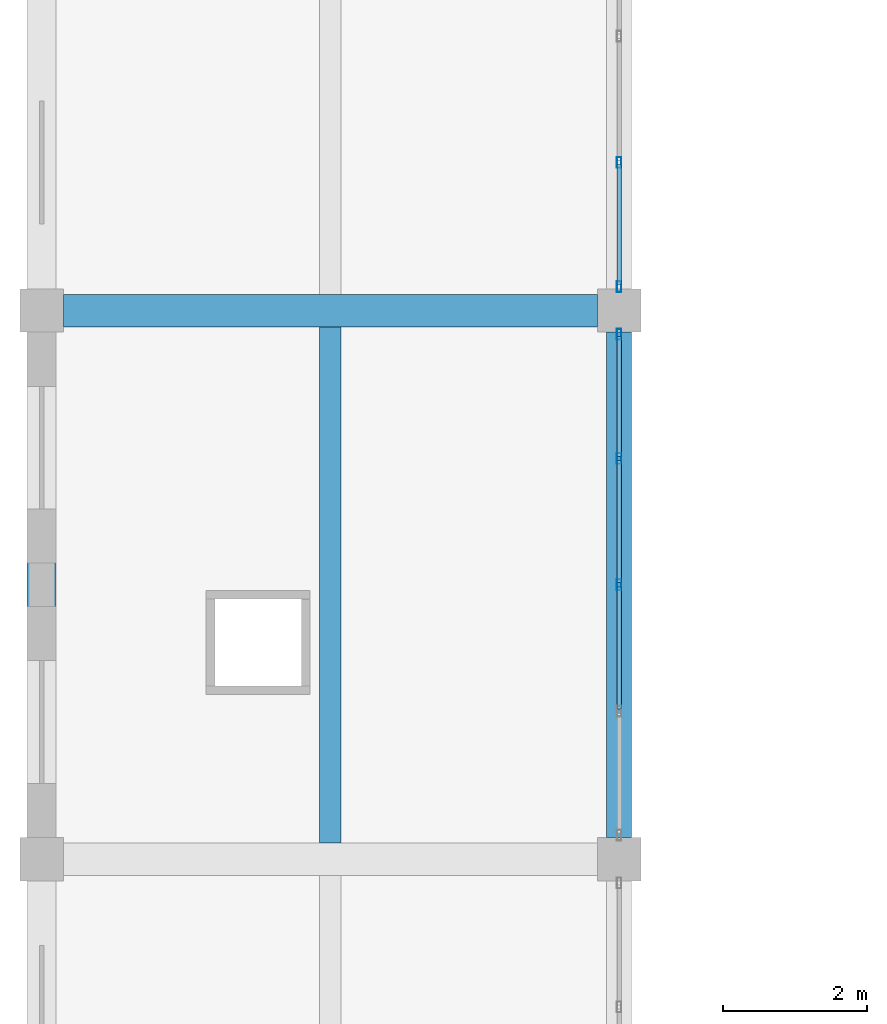
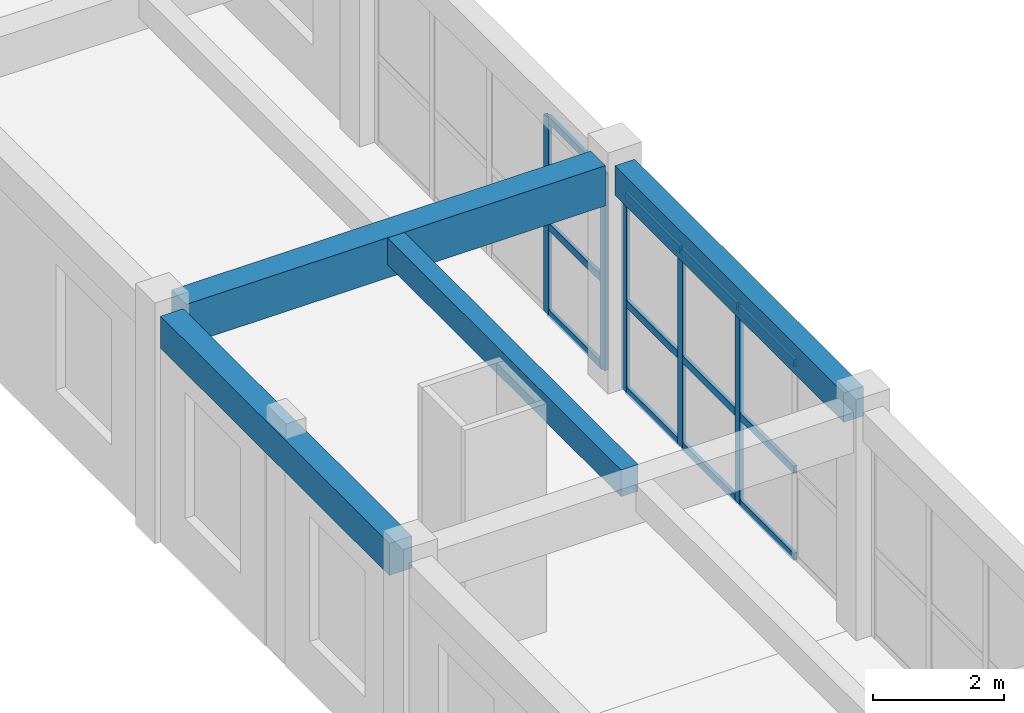
# One storey, part 12 of 79: 17 members, 4 beams, 2 elements without a shape of their own.
"""IFC4 building model written with IfcOpenShell, lengths in metres."""

from ifc_helpers import new_model, si_unit, direction, frame, origin, origin_2d, place, context, subcontext, project, spatial, rectangle, hollow_rectangle, extrude, material, material_profile, profile_set, type_object, element, aggregate, save


model = new_model("IFC4")

# Units and contexts
model_context = context("Model", 3, precision=1e-05, world=origin(), true_north=direction((0.0, 1.0)))
body_context = subcontext(model_context, "Body", "Model", "MODEL_VIEW")
ifc_project = project(units=[si_unit("LENGTHUNIT", "METRE"), si_unit("AREAUNIT", "SQUARE_METRE"), si_unit("VOLUMEUNIT", "CUBIC_METRE"), si_unit("PLANEANGLEUNIT", "RADIAN"), si_unit("MASSUNIT", "GRAM", prefix="KILO")], contexts=[model_context])

# Site, building, storey
site_placement = place(None, origin())
site = spatial("IfcSite", under=ifc_project, at=site_placement, CompositionType="ELEMENT")
building_placement = place(site_placement, origin())
building = spatial("IfcBuilding", under=site, at=building_placement, Name="Zantavel Square City Hall", CompositionType="ELEMENT")
storey_placement = place(building_placement, frame((0.0, 0.0, 10.199951171875)))
storey = spatial("IfcBuildingStorey", under=building, at=storey_placement, Name="L03", CompositionType="ELEMENT", Elevation=10.199951171875)

# Curtain wall, members
ifc_material_1 = material(Name="Anodised aluminium 6063-T6", Category="aluminium")
curtain_wall_type = type_object("IfcCurtainWallType", Name="Curtain Wall CRT 7000x3670", PredefinedType="USERDEFINED", material=ifc_material_1)
curtain_wall_1_placement = place(storey_placement, origin())
curtain_wall_1 = element("IfcCurtainWall", 1, at=curtain_wall_1_placement, inside=storey, type_object=curtain_wall_type, Name="L03 Glazed Curtain Wall CW-L03-105", ObjectType="GLAZED CURTAIN WALL", PredefinedType="USERDEFINED")
ifc_material_profile_1 = material_profile(ifc_material_1, hollow_rectangle(XDim=0.06494140625, YDim=0.14990234375, WallThickness=0.00390625, at=origin_2d()), Name="ALU 65x150x4")
ifc_profile_set_1 = profile_set([ifc_material_profile_1], Name="Anodised aluminium 6063-T6")
member_type_1 = type_object("IfcMemberType", Name="CW Mullion ALU 65x150x4", PredefinedType="MULLION", material=ifc_profile_set_1)
member_1_placement = place(storey_placement, frame((16.0, 62.85009765625, 0.0), z_axis=(0.0, 0.0, 1.0), x_axis=(1.0, 0.0, 0.0)))
member_1 = element("IfcMember", 2, at=member_1_placement, type_object=member_type_1, Name="CW-105 mullion 4", PredefinedType="MULLION", context=body_context, shape_type="SweptSolid", body=[
    extrude(hollow_rectangle(XDim=0.06494140625, YDim=0.14990234375, WallThickness=0.00390625, at=origin_2d()), origin(), (0.0, 0.0, 1.0), 3.670166015625),
])
member_2_placement = place(storey_placement, frame((16.0, 61.1298828125, 0.0), z_axis=(0.0, 0.0, 1.0), x_axis=(1.0, 0.0, 0.0)))
member_2 = element("IfcMember", 3, at=member_2_placement, type_object=member_type_1, Name="CW-105 mullion 5", PredefinedType="MULLION", context=body_context, shape_type="SweptSolid", body=[
    extrude(hollow_rectangle(XDim=0.06494140625, YDim=0.14990234375, WallThickness=0.00390625, at=origin_2d()), origin(), (0.0, 0.0, 1.0), 3.670166015625),
])

curtain_wall_2_placement = place(storey_placement, origin())
curtain_wall_2 = element("IfcCurtainWall", 4, at=curtain_wall_2_placement, inside=storey, type_object=curtain_wall_type, Name="L03 Glazed Curtain Wall CW-L03-106", ObjectType="GLAZED CURTAIN WALL", PredefinedType="USERDEFINED")
member_3_placement = place(storey_placement, frame((16.0, 60.469970703125, 0.0), z_axis=(0.0, 0.0, 1.0), x_axis=(1.0, 0.0, 0.0)))
member_3 = element("IfcMember", 5, at=member_3_placement, type_object=member_type_1, Name="CW-106 mullion 1", PredefinedType="MULLION", context=body_context, shape_type="SweptSolid", body=[
    extrude(hollow_rectangle(XDim=0.06494140625, YDim=0.14990234375, WallThickness=0.00390625, at=origin_2d()), origin(), (0.0, 0.0, 1.0), 3.670166015625),
])
member_4_placement = place(storey_placement, frame((16.0, 58.75, 0.0), z_axis=(0.0, 0.0, 1.0), x_axis=(1.0, 0.0, 0.0)))
member_4 = element("IfcMember", 6, at=member_4_placement, type_object=member_type_1, Name="CW-106 mullion 2", PredefinedType="MULLION", context=body_context, shape_type="SweptSolid", body=[
    extrude(hollow_rectangle(XDim=0.06494140625, YDim=0.14990234375, WallThickness=0.00390625, at=origin_2d()), origin(), (0.0, 0.0, 1.0), 3.670166015625),
])
member_5_placement = place(storey_placement, frame((16.0, 57.0, 0.0), z_axis=(0.0, 0.0, 1.0), x_axis=(1.0, 0.0, 0.0)))
member_5 = element("IfcMember", 7, at=member_5_placement, type_object=member_type_1, Name="CW-106 mullion 3", PredefinedType="MULLION", context=body_context, shape_type="SweptSolid", body=[
    extrude(hollow_rectangle(XDim=0.06494140625, YDim=0.14990234375, WallThickness=0.00390625, at=origin_2d()), origin(), (0.0, 0.0, 1.0), 3.670166015625),
])

# Member
ifc_material_profile_2 = material_profile(ifc_material_1, hollow_rectangle(XDim=0.06005859375, YDim=0.139892578125, WallThickness=0.00390625, at=origin_2d()), Name="ALU 60x140x4")
ifc_profile_set_2 = profile_set([ifc_material_profile_2], Name="Anodised aluminium 6063-T6")
member_type_2 = type_object("IfcMemberType", Name="CW Transom ALU 60x140x4", PredefinedType="USERDEFINED", material=ifc_profile_set_2)
member_6_placement = place(storey_placement, frame((16.0, 62.820068359375, 0.030029296875), z_axis=(0.0, -1.0, 0.0), x_axis=(1.0, 0.0, 0.0)))
member_6 = element("IfcMember", 8, at=member_6_placement, type_object=member_type_2, Name="CW-105 transom 4.1", ObjectType="TRANSOM", PredefinedType="USERDEFINED", context=body_context, shape_type="SweptSolid", body=[
    extrude(hollow_rectangle(XDim=0.06005859375, YDim=0.139892578125, WallThickness=0.00390625, at=origin_2d()), origin(), (0.0, 0.0, 1.0), 1.66015625),
])

member_7_placement = place(storey_placement, frame((16.0, 62.820068359375, 1.651123046875), z_axis=(0.0, -1.0, 0.0), x_axis=(1.0, 0.0, 0.0)))
member_7 = element("IfcMember", 9, at=member_7_placement, type_object=member_type_2, Name="CW-105 transom 4.2", ObjectType="TRANSOM", PredefinedType="USERDEFINED", context=body_context, shape_type="SweptSolid", body=[
    extrude(hollow_rectangle(XDim=0.06005859375, YDim=0.139892578125, WallThickness=0.00390625, at=origin_2d()), origin(), (0.0, 0.0, 1.0), 1.66015625),
])

member_8_placement = place(storey_placement, frame((16.0, 62.820068359375, 3.64013671875), z_axis=(0.0, -1.0, 0.0), x_axis=(1.0, 0.0, 0.0)))
member_8 = element("IfcMember", 10, at=member_8_placement, type_object=member_type_2, Name="CW-105 transom 4.3", ObjectType="TRANSOM", PredefinedType="USERDEFINED", context=body_context, shape_type="SweptSolid", body=[
    extrude(hollow_rectangle(XDim=0.06005859375, YDim=0.139892578125, WallThickness=0.00390625, at=origin_2d()), origin(), (0.0, 0.0, 1.0), 1.66015625),
])

aggregate(curtain_wall_1, [member_1, member_2, member_6, member_7, member_8])

member_9_placement = place(storey_placement, frame((16.0, 60.43994140625, 0.030029296875), z_axis=(0.0, -1.0, 0.0), x_axis=(1.0, 0.0, 0.0)))
member_9 = element("IfcMember", 11, at=member_9_placement, type_object=member_type_2, Name="CW-106 transom 1.1", ObjectType="TRANSOM", PredefinedType="USERDEFINED", context=body_context, shape_type="SweptSolid", body=[
    extrude(hollow_rectangle(XDim=0.06005859375, YDim=0.139892578125, WallThickness=0.00390625, at=origin_2d()), origin(), (0.0, 0.0, 1.0), 1.659912109375),
])

member_10_placement = place(storey_placement, frame((16.0, 60.43994140625, 1.651123046875), z_axis=(0.0, -1.0, 0.0), x_axis=(1.0, 0.0, 0.0)))
member_10 = element("IfcMember", 12, at=member_10_placement, type_object=member_type_2, Name="CW-106 transom 1.2", ObjectType="TRANSOM", PredefinedType="USERDEFINED", context=body_context, shape_type="SweptSolid", body=[
    extrude(hollow_rectangle(XDim=0.06005859375, YDim=0.139892578125, WallThickness=0.00390625, at=origin_2d()), origin(), (0.0, 0.0, 1.0), 1.659912109375),
])

member_11_placement = place(storey_placement, frame((16.0, 60.43994140625, 3.64013671875), z_axis=(0.0, -1.0, 0.0), x_axis=(1.0, 0.0, 0.0)))
member_11 = element("IfcMember", 13, at=member_11_placement, type_object=member_type_2, Name="CW-106 transom 1.3", ObjectType="TRANSOM", PredefinedType="USERDEFINED", context=body_context, shape_type="SweptSolid", body=[
    extrude(hollow_rectangle(XDim=0.06005859375, YDim=0.139892578125, WallThickness=0.00390625, at=origin_2d()), origin(), (0.0, 0.0, 1.0), 1.659912109375),
])

member_12_placement = place(storey_placement, frame((16.0, 58.719970703125, 0.030029296875), z_axis=(0.0, -1.0, 0.0), x_axis=(1.0, 0.0, 0.0)))
member_12 = element("IfcMember", 14, at=member_12_placement, type_object=member_type_2, Name="CW-106 transom 2.1", ObjectType="TRANSOM", PredefinedType="USERDEFINED", context=body_context, shape_type="SweptSolid", body=[
    extrude(hollow_rectangle(XDim=0.06005859375, YDim=0.139892578125, WallThickness=0.00390625, at=origin_2d()), origin(), (0.0, 0.0, 1.0), 1.68994140625),
])

member_13_placement = place(storey_placement, frame((16.0, 58.719970703125, 1.651123046875), z_axis=(0.0, -1.0, 0.0), x_axis=(1.0, 0.0, 0.0)))
member_13 = element("IfcMember", 15, at=member_13_placement, type_object=member_type_2, Name="CW-106 transom 2.2", ObjectType="TRANSOM", PredefinedType="USERDEFINED", context=body_context, shape_type="SweptSolid", body=[
    extrude(hollow_rectangle(XDim=0.06005859375, YDim=0.139892578125, WallThickness=0.00390625, at=origin_2d()), origin(), (0.0, 0.0, 1.0), 1.68994140625),
])

member_14_placement = place(storey_placement, frame((16.0, 58.719970703125, 3.64013671875), z_axis=(0.0, -1.0, 0.0), x_axis=(1.0, 0.0, 0.0)))
member_14 = element("IfcMember", 16, at=member_14_placement, type_object=member_type_2, Name="CW-106 transom 2.3", ObjectType="TRANSOM", PredefinedType="USERDEFINED", context=body_context, shape_type="SweptSolid", body=[
    extrude(hollow_rectangle(XDim=0.06005859375, YDim=0.139892578125, WallThickness=0.00390625, at=origin_2d()), origin(), (0.0, 0.0, 1.0), 1.68994140625),
])

member_15_placement = place(storey_placement, frame((16.0, 56.969970703125, 0.030029296875), z_axis=(0.0, -1.0, 0.0), x_axis=(1.0, 0.0, 0.0)))
member_15 = element("IfcMember", 17, at=member_15_placement, type_object=member_type_2, Name="CW-106 transom 3.1", ObjectType="TRANSOM", PredefinedType="USERDEFINED", context=body_context, shape_type="SweptSolid", body=[
    extrude(hollow_rectangle(XDim=0.06005859375, YDim=0.139892578125, WallThickness=0.00390625, at=origin_2d()), origin(), (0.0, 0.0, 1.0), 1.68994140625),
])

member_16_placement = place(storey_placement, frame((16.0, 56.969970703125, 1.651123046875), z_axis=(0.0, -1.0, 0.0), x_axis=(1.0, 0.0, 0.0)))
member_16 = element("IfcMember", 18, at=member_16_placement, type_object=member_type_2, Name="CW-106 transom 3.2", ObjectType="TRANSOM", PredefinedType="USERDEFINED", context=body_context, shape_type="SweptSolid", body=[
    extrude(hollow_rectangle(XDim=0.06005859375, YDim=0.139892578125, WallThickness=0.00390625, at=origin_2d()), origin(), (0.0, 0.0, 1.0), 1.68994140625),
])

member_17_placement = place(storey_placement, frame((16.0, 56.969970703125, 3.64013671875), z_axis=(0.0, -1.0, 0.0), x_axis=(1.0, 0.0, 0.0)))
member_17 = element("IfcMember", 19, at=member_17_placement, type_object=member_type_2, Name="CW-106 transom 3.3", ObjectType="TRANSOM", PredefinedType="USERDEFINED", context=body_context, shape_type="SweptSolid", body=[
    extrude(hollow_rectangle(XDim=0.06005859375, YDim=0.139892578125, WallThickness=0.00390625, at=origin_2d()), origin(), (0.0, 0.0, 1.0), 1.68994140625),
])

aggregate(curtain_wall_2, [member_3, member_4, member_5, member_9, member_10, member_11, member_12, member_13, member_14, member_15, member_16, member_17])

# Beams
ifc_material_2 = material(Name="Concrete C35/45", Category="concrete")
ifc_material_profile_3 = material_profile(ifc_material_2, rectangle(XDim=0.300048828125, YDim=0.5, at=origin_2d()), Name="RC 300x500")
ifc_profile_set_3 = profile_set([ifc_material_profile_3], Name="Concrete C35/45")
beam_type_1 = type_object("IfcBeamType", Name="Floor Joist RC 300x500 C35/45", PredefinedType="JOIST", material=ifc_profile_set_3)
beam_1_placement = place(storey_placement, frame((12.0, 53.425048828125, 3.969970703125), z_axis=(0.0, 1.0, 0.0), x_axis=(-1.0, 0.0, 0.0)))
element("IfcBeam", 20, at=beam_1_placement, inside=storey, type_object=beam_type_1, Name="L03 Floor Joist JST-L03-0120-0532", PredefinedType="JOIST", context=body_context, shape_type="SweptSolid", body=[
    extrude(rectangle(XDim=0.300048828125, YDim=0.5, at=origin_2d()), origin(), (0.0, 0.0, 1.0), 7.14990234375),
])
ifc_material_profile_4 = material_profile(ifc_material_2, rectangle(XDim=0.39990234375, YDim=0.60009765625, at=origin_2d()), Name="RC 400x600")
ifc_profile_set_4 = profile_set([ifc_material_profile_4], Name="Concrete C35/45")
beam_type_2 = type_object("IfcBeamType", Name="Perimeter Spandrel RC 400x600 C35/45", PredefinedType="SPANDREL", material=ifc_profile_set_4)
beam_2_placement = place(storey_placement, frame((8.0, 53.5, 3.920166015625), z_axis=(0.0, 1.0, 0.0), x_axis=(-1.0, 0.0, 0.0)))
element("IfcBeam", 21, at=beam_2_placement, inside=storey, type_object=beam_type_2, Name="L03 Beam BMY-L03-0080-0532", PredefinedType="SPANDREL", context=body_context, shape_type="SweptSolid", body=[
    extrude(rectangle(XDim=0.39990234375, YDim=0.60009765625, at=origin_2d()), origin(), (0.0, 0.0, 1.0), 7.0),
])
ifc_material_profile_5 = material_profile(ifc_material_2, rectangle(XDim=0.449951171875, YDim=0.75, at=origin_2d()), Name="RC 450x750")
ifc_profile_set_5 = profile_set([ifc_material_profile_5], Name="Concrete C35/45")
beam_type_3 = type_object("IfcBeamType", Name="Primary Girder RC 450x750 C35/45", PredefinedType="BEAM", material=ifc_profile_set_5)
beam_3_placement = place(storey_placement, frame((8.300048828125, 60.800048828125, 3.844970703125), z_axis=(1.0, 0.0, 0.0), x_axis=(0.0, 1.0, 0.0)))
element("IfcBeam", 22, at=beam_3_placement, inside=storey, type_object=beam_type_3, Name="L03 Girder BMX-L03-0080-0608", PredefinedType="BEAM", context=body_context, shape_type="SweptSolid", body=[
    extrude(rectangle(XDim=0.449951171875, YDim=0.75, at=origin_2d()), origin(), (0.0, 0.0, 1.0), 7.39990234375),
])
ifc_material_profile_6 = material_profile(ifc_material_2, rectangle(XDim=0.35009765625, YDim=0.550048828125, at=origin_2d()), Name="RC 350x550")
ifc_profile_set_6 = profile_set([ifc_material_profile_6], Name="Concrete C35/45")
beam_type_4 = type_object("IfcBeamType", Name="Secondary Beam RC 350x550 C35/45", PredefinedType="BEAM", material=ifc_profile_set_6)
beam_4_placement = place(storey_placement, frame((16.0, 53.5, 3.945068359375), z_axis=(0.0, 1.0, 0.0), x_axis=(-1.0, 0.0, 0.0)))
element("IfcBeam", 23, at=beam_4_placement, inside=storey, type_object=beam_type_4, Name="L03 Beam BMY-L03-0160-0532", PredefinedType="BEAM", context=body_context, shape_type="SweptSolid", body=[
    extrude(rectangle(XDim=0.35009765625, YDim=0.550048828125, at=origin_2d()), origin(), (0.0, 0.0, 1.0), 7.0),
])

save(model, "model.ifc")
